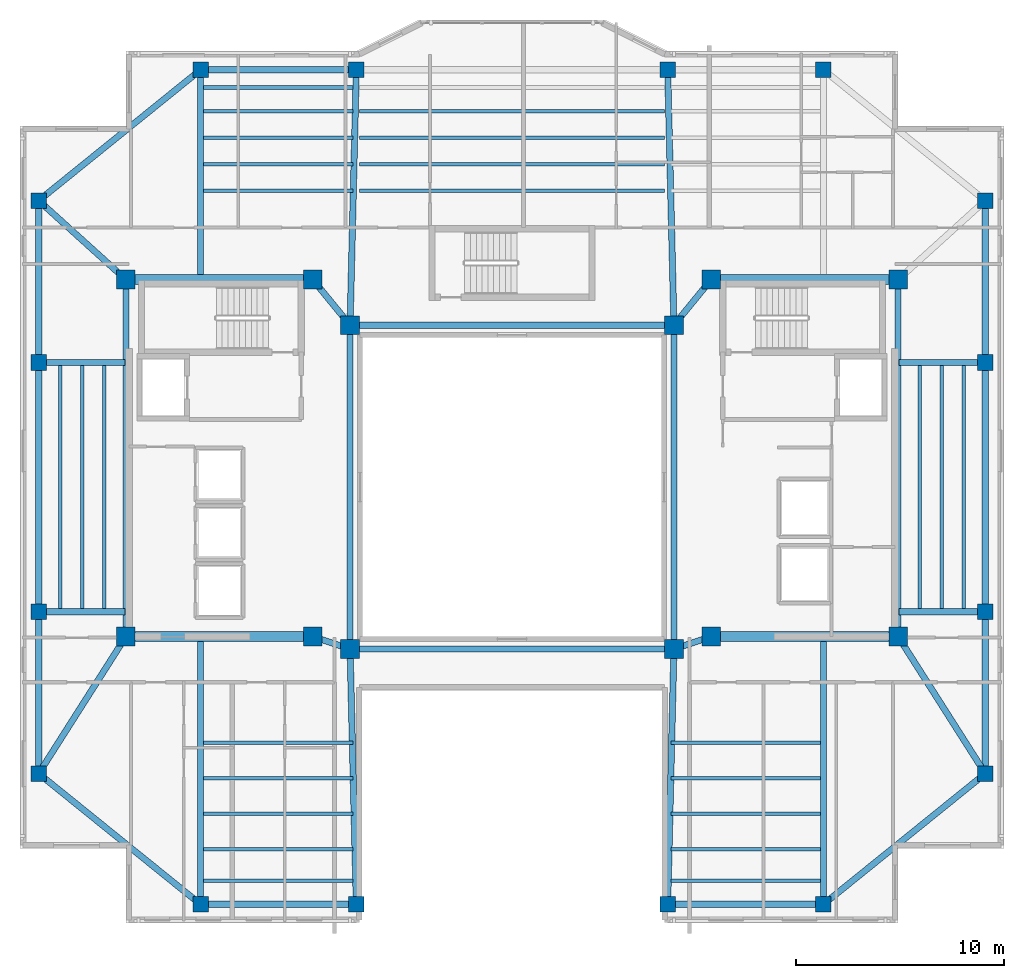
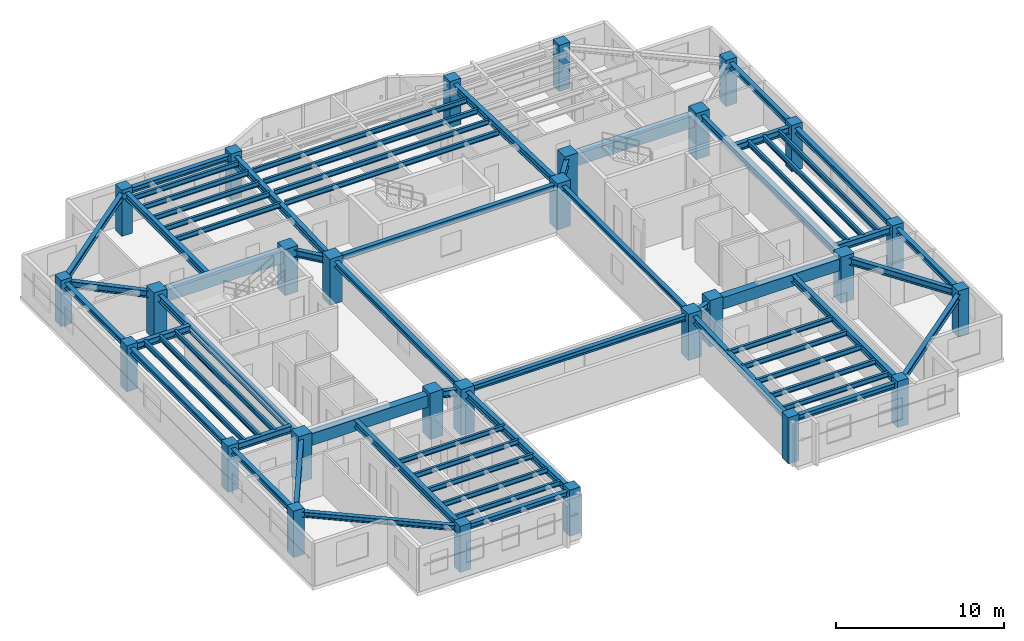
# One storey, part 1 of 11: 65 beams, 28 columns.
"""IFC4 building model written with IfcOpenShell, lengths in metres."""

from ifc_helpers import new_model, si_unit, direction, frame, origin, origin_2d, place, context, subcontext, project, spatial, rectangle, i_section, extrude, material, material_profile, profile_set, type_object, element, save


model = new_model("IFC4")

# Units and contexts
model_context = context("Model", 3, precision=1e-05, world=origin(), true_north=direction((0.0, 1.0)))
body_context = subcontext(model_context, "Body", "Model", "MODEL_VIEW")
ifc_project = project(units=[si_unit("LENGTHUNIT", "METRE"), si_unit("AREAUNIT", "SQUARE_METRE"), si_unit("VOLUMEUNIT", "CUBIC_METRE"), si_unit("PLANEANGLEUNIT", "RADIAN"), si_unit("MASSUNIT", "GRAM", prefix="KILO")], contexts=[model_context])

# Site, building, storey
site_placement = place(None, origin())
site = spatial("IfcSite", under=ifc_project, at=site_placement, CompositionType="ELEMENT")
building_placement = place(site_placement, origin())
building = spatial("IfcBuilding", under=site, at=building_placement, Name="Tarnavaz Court Tower", CompositionType="ELEMENT")
storey_placement = place(building_placement, frame((0.0, 0.0, 213.699951171875)))
storey = spatial("IfcBuildingStorey", under=building, at=storey_placement, Name="L58", CompositionType="ELEMENT", Elevation=213.699951171875)

# Columns
ifc_material_1 = material(Name="Concrete C50/60", Category="concrete")
ifc_material_profile_1 = material_profile(ifc_material_1, rectangle(XDim=0.75, YDim=0.75, at=origin_2d()), Name="RC 750X750")
ifc_profile_set_1 = profile_set([ifc_material_profile_1], Name="Concrete C50/60")
column_type_1 = type_object("IfcColumnType", Name="CL-RC750", PredefinedType="COLUMN", material=ifc_profile_set_1)
for number, where, z_axis, x_axis, name in (
    (1, (-15.0, 20.10009765625, 0.0), (0.0, 0.0, 1.0), (1.0, 0.0, 0.0), "L58 Column PN-1"),
    (2, (-7.5, 20.10009765625, 0.0), (0.0, 0.0, 1.0), (1.0, 0.0, 0.0), "L58 Column PN-2"),
    (3, (7.5, 20.10009765625, 0.0), (0.0, 0.0, 1.0), (1.0, 0.0, 0.0), "L58 Column PN-3"),
    (4, (15.0, 20.10009765625, 0.0), (0.0, 0.0, 1.0), (1.0, 0.0, 0.0), "L58 Column PN-4"),
    (5, (-15.0, -20.10009765625, 0.0), (0.0, 0.0, 1.0), (1.0, 0.0, 0.0), "L58 Column PS-1"),
    (6, (-7.5, -20.10009765625, 0.0), (0.0, 0.0, 1.0), (1.0, 0.0, 0.0), "L58 Column PS-2"),
    (7, (7.5, -20.10009765625, 0.0), (0.0, 0.0, 1.0), (1.0, 0.0, 0.0), "L58 Column PS-3"),
    (8, (15.0, -20.10009765625, 0.0), (0.0, 0.0, 1.0), (1.0, 0.0, 0.0), "L58 Column PS-4"),
    (9, (22.800048828125, -13.800048828125, 0.0), (0.0, 0.0, 1.0), (1.0, 0.0, 0.0), "L58 Column PE-1"),
    (10, (22.800048828125, -6.0, 0.0), (0.0, 0.0, 1.0), (1.0, 0.0, 0.0), "L58 Column PE-2"),
    (11, (22.800048828125, 6.0, 0.0), (0.0, 0.0, 1.0), (1.0, 0.0, 0.0), "L58 Column PE-3"),
    (12, (22.800048828125, 13.800048828125, 0.0), (0.0, 0.0, 1.0), (1.0, 0.0, 0.0), "L58 Column PE-4"),
    (13, (-22.800048828125, -13.800048828125, 0.0), (0.0, 0.0, 1.0), (1.0, 0.0, 0.0), "L58 Column PW-1"),
    (14, (-22.800048828125, -6.0, 0.0), (0.0, 0.0, 1.0), (1.0, 0.0, 0.0), "L58 Column PW-2"),
    (15, (-22.800048828125, 6.0, 0.0), (0.0, 0.0, 1.0), (1.0, 0.0, 0.0), "L58 Column PW-3"),
    (16, (-22.800048828125, 13.800048828125, 0.0), (0.0, 0.0, 1.0), (1.0, 0.0, 0.0), "L58 Column PW-4"),
):
    element("IfcColumn", number, at=place(storey_placement, frame(where, z_axis=z_axis, x_axis=x_axis)), inside=storey, type_object=column_type_1, Name=name, PredefinedType="COLUMN", context=body_context, shape_type="SweptSolid", body=[
        extrude(rectangle(XDim=0.75, YDim=0.75, at=origin_2d()), origin(), (0.0, 0.0, 1.0), 3.35009765625),
    ])
ifc_material_profile_2 = material_profile(ifc_material_1, rectangle(XDim=0.89990234375, YDim=0.89990234375, at=origin_2d()), Name="RC 900X900")
ifc_profile_set_2 = profile_set([ifc_material_profile_2], Name="Concrete C50/60")
column_type_2 = type_object("IfcColumnType", Name="CL-RC900", PredefinedType="COLUMN", material=ifc_profile_set_2)
for number, where, z_axis, x_axis, name in (
    (17, (-7.800048828125, -7.800048828125, 0.0), (0.0, 0.0, 1.0), (1.0, 0.0, 0.0), "L58 Column IW-SW"),
    (18, (7.800048828125, -7.800048828125, 0.0), (0.0, 0.0, 1.0), (1.0, 0.0, 0.0), "L58 Column IW-SE"),
    (19, (-7.800048828125, 7.800048828125, 0.0), (0.0, 0.0, 1.0), (1.0, 0.0, 0.0), "L58 Column IW-NW"),
    (20, (7.800048828125, 7.800048828125, 0.0), (0.0, 0.0, 1.0), (1.0, 0.0, 0.0), "L58 Column IW-NE"),
    (21, (-9.60009765625, -7.199951171875, 0.0), (0.0, 0.0, 1.0), (1.0, 0.0, 0.0), "L58 Column CW-SI"),
    (22, (-9.60009765625, 10.0, 0.0), (0.0, 0.0, 1.0), (1.0, 0.0, 0.0), "L58 Column CW-NI"),
    (23, (9.60009765625, -7.199951171875, 0.0), (0.0, 0.0, 1.0), (1.0, 0.0, 0.0), "L58 Column CE-SI"),
    (24, (9.60009765625, 10.0, 0.0), (0.0, 0.0, 1.0), (1.0, 0.0, 0.0), "L58 Column CE-NI"),
    (25, (-18.60009765625, -7.199951171875, 0.0), (0.0, 0.0, 1.0), (1.0, 0.0, 0.0), "L58 Column CW-SO"),
    (26, (-18.60009765625, 10.0, 0.0), (0.0, 0.0, 1.0), (1.0, 0.0, 0.0), "L58 Column CW-NO"),
    (27, (18.60009765625, -7.199951171875, 0.0), (0.0, 0.0, 1.0), (1.0, 0.0, 0.0), "L58 Column CE-SO"),
    (28, (18.60009765625, 10.0, 0.0), (0.0, 0.0, 1.0), (1.0, 0.0, 0.0), "L58 Column CE-NO"),
):
    element("IfcColumn", number, at=place(storey_placement, frame(where, z_axis=z_axis, x_axis=x_axis)), inside=storey, type_object=column_type_2, Name=name, PredefinedType="COLUMN", context=body_context, shape_type="SweptSolid", body=[
        extrude(rectangle(XDim=0.89990234375, YDim=0.89990234375, at=origin_2d()), origin(), (0.0, 0.0, 1.0), 3.35009765625),
    ])

# Beams
ifc_material_profile_3 = material_profile(ifc_material_1, rectangle(XDim=0.5, YDim=0.85009765625, at=origin_2d()), Name="RC 500X850")
ifc_profile_set_3 = profile_set([ifc_material_profile_3], Name="Concrete C50/60")
beam_type_1 = type_object("IfcBeamType", Name="BM-CB850", PredefinedType="LINTEL", material=ifc_profile_set_3)
for number, where, z_axis, x_axis, name in (
    (29, (-18.3798828125, -7.199951171875, 2.675048828125), (1.0, 0.0, 0.0), (0.0, 1.0, 0.0), "L58 Beam IN-CW-SO-CW-SI"),
    (30, (-18.3798828125, 10.0, 2.675048828125), (1.0, 0.0, 0.0), (0.0, 1.0, 0.0), "L58 Beam IN-CW-NO-CW-NI"),
    (31, (18.3798828125, -7.199951171875, 2.675048828125), (-1.0, 0.0, 0.0), (0.0, -1.0, 0.0), "L58 Beam IN-CE-SO-CE-SI"),
    (32, (18.3798828125, 10.0, 2.675048828125), (-1.0, 0.0, 0.0), (0.0, -1.0, 0.0), "L58 Beam IN-CE-NO-CE-NI"),
):
    element("IfcBeam", number, at=place(storey_placement, frame(where, z_axis=z_axis, x_axis=x_axis)), inside=storey, type_object=beam_type_1, Name=name, PredefinedType="LINTEL", context=body_context, shape_type="SweptSolid", body=[
        extrude(rectangle(XDim=0.5, YDim=0.85009765625, at=origin_2d()), origin(), (0.0, 0.0, 1.0), 8.559814453125),
    ])
ifc_material_2 = material(Name="Steel S355", Category="steel")
ifc_material_profile_4 = material_profile(ifc_material_2, i_section(OverallWidth=0.300048828125, OverallDepth=0.5, WebThickness=0.014404296875, FlangeThickness=0.028076171875, FilletRadius=0.027099609375, at=origin_2d()), Name="HEB 500")
ifc_profile_set_4 = profile_set([ifc_material_profile_4], Name="Steel S355")
beam_type_2 = type_object("IfcBeamType", Name="BM-G-HEB500", PredefinedType="USERDEFINED", material=ifc_profile_set_4)
for number, where, z_axis, x_axis, name in (
    (33, (-9.391357421875, -7.26953125, 2.85009765625), (0.948666544706, -0.316278021615, 0.0), (0.316278021615, 0.948666544706, 0.0), "L58 Beam IN-CW-SI-IW-SW"),
    (34, (9.391357421875, -7.26953125, 2.85009765625), (-0.948666544706, -0.316278021615, 0.0), (0.316278021615, -0.948666544706, 0.0), "L58 Beam IN-CE-SI-IW-SE"),
):
    element("IfcBeam", number, at=place(storey_placement, frame(where, z_axis=z_axis, x_axis=x_axis)), inside=storey, type_object=beam_type_2, Name=name, ObjectType="GIRDER", PredefinedType="USERDEFINED", context=body_context, shape_type="SweptSolid", body=[
        extrude(i_section(OverallWidth=0.300048828125, OverallDepth=0.5, WebThickness=0.014404296875, FlangeThickness=0.028076171875, FilletRadius=0.027099609375, at=origin_2d()), origin(), (0.0, 0.0, 1.0), 1.457275390625),
    ])
for number, where, z_axis, x_axis, name in (
    (35, (-9.460693359375, 9.82958984375, 2.85009765625), (0.633282058357, -0.773921077735, 0.0), (0.773921077735, 0.633282058357, 0.0), "L58 Beam IN-CW-NI-IW-NW"),
    (36, (9.460693359375, 9.82958984375, 2.85009765625), (-0.633282058357, -0.773921077735, 0.0), (0.773921077735, -0.633282058357, 0.0), "L58 Beam IN-CE-NI-IW-NE"),
):
    element("IfcBeam", number, at=place(storey_placement, frame(where, z_axis=z_axis, x_axis=x_axis)), inside=storey, type_object=beam_type_2, Name=name, ObjectType="GIRDER", PredefinedType="USERDEFINED", context=body_context, shape_type="SweptSolid", body=[
        extrude(i_section(OverallWidth=0.300048828125, OverallDepth=0.5, WebThickness=0.014404296875, FlangeThickness=0.028076171875, FilletRadius=0.027099609375, at=origin_2d()), origin(), (0.0, 0.0, 1.0), 2.402587890625),
    ])
for number, where, z_axis, x_axis, name in (
    (37, (-18.60009765625, -6.97998046875, 2.85009765625), (0.0, 1.0, 0.0), (-1.0, 0.0, 0.0), "L58 Beam IN-CW-SO-CW-NO"),
    (38, (18.60009765625, -6.97998046875, 2.85009765625), (0.0, 1.0, 0.0), (-1.0, 0.0, 0.0), "L58 Beam IN-CE-SO-CE-NO"),
):
    element("IfcBeam", number, at=place(storey_placement, frame(where, z_axis=z_axis, x_axis=x_axis)), inside=storey, type_object=beam_type_2, Name=name, ObjectType="GIRDER", PredefinedType="USERDEFINED", context=body_context, shape_type="SweptSolid", body=[
        extrude(i_section(OverallWidth=0.300048828125, OverallDepth=0.5, WebThickness=0.014404296875, FlangeThickness=0.028076171875, FilletRadius=0.027099609375, at=origin_2d()), origin(), (0.0, 0.0, 1.0), 16.760009765625),
    ])
beam_1_placement = place(storey_placement, frame((-15.0, 10.0400390625, 2.85009765625), z_axis=(0.0, 1.0, 0.0), x_axis=(-1.0, 0.0, 0.0)))
element("IfcBeam", 39, at=beam_1_placement, inside=storey, type_object=beam_type_2, Name="L58 Beam RG-01", ObjectType="GIRDER", PredefinedType="USERDEFINED", context=body_context, shape_type="SweptSolid", body=[
    extrude(i_section(OverallWidth=0.300048828125, OverallDepth=0.5, WebThickness=0.014404296875, FlangeThickness=0.028076171875, FilletRadius=0.027099609375, at=origin_2d()), origin(), (0.0, 0.0, 1.0), 9.83984375),
])
for number, where, z_axis, x_axis, name in (
    (40, (-7.794677734375, 8.02001953125, 2.85009765625), (0.024386002211, 0.99970261723, 0.0), (-0.99970261723, 0.024386002211, 0.0), "L58 Beam RG-02"),
    (41, (7.794677734375, 8.02001953125, 2.85009765625), (-0.024386002211, 0.99970261723, 0.0), (-0.99970261723, -0.024386002211, 0.0), "L58 Beam RG-03"),
):
    element("IfcBeam", number, at=place(storey_placement, frame(where, z_axis=z_axis, x_axis=x_axis)), inside=storey, type_object=beam_type_2, Name=name, ObjectType="GIRDER", PredefinedType="USERDEFINED", context=body_context, shape_type="SweptSolid", body=[
        extrude(i_section(OverallWidth=0.300048828125, OverallDepth=0.5, WebThickness=0.014404296875, FlangeThickness=0.028076171875, FilletRadius=0.027099609375, at=origin_2d()), origin(), (0.0, 0.0, 1.0), 11.863525390625),
    ])
beam_2_placement = place(storey_placement, frame((-15.0, -7.239990234375, 2.85009765625), z_axis=(0.0, -1.0, 0.0), x_axis=(1.0, 0.0, 0.0)))
element("IfcBeam", 42, at=beam_2_placement, inside=storey, type_object=beam_type_2, Name="L58 Beam RG-05", ObjectType="GIRDER", PredefinedType="USERDEFINED", context=body_context, shape_type="SweptSolid", body=[
    extrude(i_section(OverallWidth=0.300048828125, OverallDepth=0.5, WebThickness=0.014404296875, FlangeThickness=0.028076171875, FilletRadius=0.027099609375, at=origin_2d()), origin(), (0.0, 0.0, 1.0), 12.639892578125),
])
for number, where, z_axis, x_axis, name in (
    (43, (-7.794677734375, -8.02001953125, 2.85009765625), (0.024386002211, -0.99970261723, 0.0), (0.99970261723, 0.024386002211, 0.0), "L58 Beam RG-06"),
    (44, (7.794677734375, -8.02001953125, 2.85009765625), (-0.024386002211, -0.99970261723, 0.0), (0.99970261723, -0.024386002211, 0.0), "L58 Beam RG-07"),
):
    element("IfcBeam", number, at=place(storey_placement, frame(where, z_axis=z_axis, x_axis=x_axis)), inside=storey, type_object=beam_type_2, Name=name, ObjectType="GIRDER", PredefinedType="USERDEFINED", context=body_context, shape_type="SweptSolid", body=[
        extrude(i_section(OverallWidth=0.300048828125, OverallDepth=0.5, WebThickness=0.014404296875, FlangeThickness=0.028076171875, FilletRadius=0.027099609375, at=origin_2d()), origin(), (0.0, 0.0, 1.0), 11.863525390625),
    ])
beam_3_placement = place(storey_placement, frame((15.0, -7.239990234375, 2.85009765625), z_axis=(0.0, -1.0, 0.0), x_axis=(1.0, 0.0, 0.0)))
element("IfcBeam", 45, at=beam_3_placement, inside=storey, type_object=beam_type_2, Name="L58 Beam RG-08", ObjectType="GIRDER", PredefinedType="USERDEFINED", context=body_context, shape_type="SweptSolid", body=[
    extrude(i_section(OverallWidth=0.300048828125, OverallDepth=0.5, WebThickness=0.014404296875, FlangeThickness=0.028076171875, FilletRadius=0.027099609375, at=origin_2d()), origin(), (0.0, 0.0, 1.0), 12.639892578125),
])
for number, where, z_axis, x_axis, name in (
    (46, (18.639892578125, -6.0, 2.85009765625), (1.0, 0.0, 0.0), (0.0, 1.0, 0.0), "L58 Beam RG-09"),
    (47, (18.639892578125, 6.0, 2.85009765625), (1.0, 0.0, 0.0), (0.0, 1.0, 0.0), "L58 Beam RG-10"),
):
    element("IfcBeam", number, at=place(storey_placement, frame(where, z_axis=z_axis, x_axis=x_axis)), inside=storey, type_object=beam_type_2, Name=name, ObjectType="GIRDER", PredefinedType="USERDEFINED", context=body_context, shape_type="SweptSolid", body=[
        extrude(i_section(OverallWidth=0.300048828125, OverallDepth=0.5, WebThickness=0.014404296875, FlangeThickness=0.028076171875, FilletRadius=0.027099609375, at=origin_2d()), origin(), (0.0, 0.0, 1.0), 3.940185546875),
    ])
beam_4_placement = place(storey_placement, frame((18.718017578125, -7.385498046875, 2.85009765625), z_axis=(0.536871212964, -0.843664210863, 0.0), x_axis=(0.843664210863, 0.536871212964, 0.0)))
element("IfcBeam", 48, at=beam_4_placement, inside=storey, type_object=beam_type_2, Name="L58 Beam RG-11", ObjectType="GIRDER", PredefinedType="USERDEFINED", context=body_context, shape_type="SweptSolid", body=[
    extrude(i_section(OverallWidth=0.300048828125, OverallDepth=0.5, WebThickness=0.014404296875, FlangeThickness=0.028076171875, FilletRadius=0.027099609375, at=origin_2d()), origin(), (0.0, 0.0, 1.0), 7.38330078125),
])
for number, where, z_axis, x_axis, name in (
    (49, (-18.639892578125, -6.0, 2.85009765625), (-1.0, 0.0, 0.0), (0.0, -1.0, 0.0), "L58 Beam RG-13"),
    (50, (-18.639892578125, 6.0, 2.85009765625), (-1.0, 0.0, 0.0), (0.0, -1.0, 0.0), "L58 Beam RG-14"),
):
    element("IfcBeam", number, at=place(storey_placement, frame(where, z_axis=z_axis, x_axis=x_axis)), inside=storey, type_object=beam_type_2, Name=name, ObjectType="GIRDER", PredefinedType="USERDEFINED", context=body_context, shape_type="SweptSolid", body=[
        extrude(i_section(OverallWidth=0.300048828125, OverallDepth=0.5, WebThickness=0.014404296875, FlangeThickness=0.028076171875, FilletRadius=0.027099609375, at=origin_2d()), origin(), (0.0, 0.0, 1.0), 3.940185546875),
    ])
beam_5_placement = place(storey_placement, frame((-18.718017578125, -7.385498046875, 2.85009765625), z_axis=(-0.536871212964, -0.843664210863, 0.0), x_axis=(0.843664210863, -0.536871212964, 0.0)))
element("IfcBeam", 51, at=beam_5_placement, inside=storey, type_object=beam_type_2, Name="L58 Beam RG-15", ObjectType="GIRDER", PredefinedType="USERDEFINED", context=body_context, shape_type="SweptSolid", body=[
    extrude(i_section(OverallWidth=0.300048828125, OverallDepth=0.5, WebThickness=0.014404296875, FlangeThickness=0.028076171875, FilletRadius=0.027099609375, at=origin_2d()), origin(), (0.0, 0.0, 1.0), 7.38330078125),
])
beam_6_placement = place(storey_placement, frame((-18.76318359375, 10.147705078125, 2.85009765625), z_axis=(-0.741555708494, 0.670891296113, 0.0), x_axis=(-0.670891296113, -0.741555708494, 0.0)))
element("IfcBeam", 52, at=beam_6_placement, inside=storey, type_object=beam_type_2, Name="L58 Beam RG-16", ObjectType="GIRDER", PredefinedType="USERDEFINED", context=body_context, shape_type="SweptSolid", body=[
    extrude(i_section(OverallWidth=0.300048828125, OverallDepth=0.5, WebThickness=0.014404296875, FlangeThickness=0.028076171875, FilletRadius=0.027099609375, at=origin_2d()), origin(), (0.0, 0.0, 1.0), 5.223876953125),
])
ifc_material_profile_5 = material_profile(ifc_material_2, i_section(OverallWidth=0.169921875, OverallDepth=0.360107421875, WebThickness=0.008056640625, FlangeThickness=0.0126953125, FilletRadius=0.01806640625, at=origin_2d()), Name="IPE 360")
ifc_profile_set_5 = profile_set([ifc_material_profile_5], Name="Steel S355")
beam_type_3 = type_object("IfcBeamType", Name="BM-J-IPE360", PredefinedType="JOIST", material=ifc_profile_set_5)
beam_7_placement = place(storey_placement, frame((-14.85009765625, 14.278076171875, 2.920166015625), z_axis=(1.0, 0.0, 0.0), x_axis=(0.0, 1.0, 0.0)))
element("IfcBeam", 53, at=beam_7_placement, inside=storey, type_object=beam_type_3, Name="L58 Beam JN1-1", PredefinedType="JOIST", context=body_context, shape_type="SweptSolid", body=[
    extrude(i_section(OverallWidth=0.169921875, OverallDepth=0.360107421875, WebThickness=0.008056640625, FlangeThickness=0.0126953125, FilletRadius=0.01806640625, at=origin_2d()), origin(), (0.0, 0.0, 1.0), 7.2001953125),
])
beam_8_placement = place(storey_placement, frame((-7.35009765625, 14.278076171875, 2.920166015625), z_axis=(1.0, 0.0, 0.0), x_axis=(0.0, 1.0, 0.0)))
element("IfcBeam", 54, at=beam_8_placement, inside=storey, type_object=beam_type_3, Name="L58 Beam JN1-2", PredefinedType="JOIST", context=body_context, shape_type="SweptSolid", body=[
    extrude(i_section(OverallWidth=0.169921875, OverallDepth=0.360107421875, WebThickness=0.008056640625, FlangeThickness=0.0126953125, FilletRadius=0.01806640625, at=origin_2d()), origin(), (0.0, 0.0, 1.0), 14.7001953125),
])
for number, where, z_axis, x_axis, name in (
    (55, (-14.85009765625, -12.31005859375, 2.920166015625), (1.0, 0.0, 0.0), (0.0, 1.0, 0.0), "L58 Beam JS1-1"),
    (56, (7.64990234375, -12.31005859375, 2.920166015625), (1.0, 0.0, 0.0), (0.0, 1.0, 0.0), "L58 Beam JS1-2"),
    (57, (-14.85009765625, 15.555908203125, 2.920166015625), (1.0, 0.0, 0.0), (0.0, 1.0, 0.0), "L58 Beam JN2-1"),
):
    element("IfcBeam", number, at=place(storey_placement, frame(where, z_axis=z_axis, x_axis=x_axis)), inside=storey, type_object=beam_type_3, Name=name, PredefinedType="JOIST", context=body_context, shape_type="SweptSolid", body=[
        extrude(i_section(OverallWidth=0.169921875, OverallDepth=0.360107421875, WebThickness=0.008056640625, FlangeThickness=0.0126953125, FilletRadius=0.01806640625, at=origin_2d()), origin(), (0.0, 0.0, 1.0), 7.2001953125),
    ])
beam_9_placement = place(storey_placement, frame((-7.35009765625, 15.555908203125, 2.920166015625), z_axis=(1.0, 0.0, 0.0), x_axis=(0.0, 1.0, 0.0)))
element("IfcBeam", 58, at=beam_9_placement, inside=storey, type_object=beam_type_3, Name="L58 Beam JN2-2", PredefinedType="JOIST", context=body_context, shape_type="SweptSolid", body=[
    extrude(i_section(OverallWidth=0.169921875, OverallDepth=0.360107421875, WebThickness=0.008056640625, FlangeThickness=0.0126953125, FilletRadius=0.01806640625, at=origin_2d()), origin(), (0.0, 0.0, 1.0), 14.7001953125),
])
for number, where, z_axis, x_axis, name in (
    (59, (-14.85009765625, -14.02001953125, 2.920166015625), (1.0, 0.0, 0.0), (0.0, 1.0, 0.0), "L58 Beam JS2-1"),
    (60, (7.64990234375, -14.02001953125, 2.920166015625), (1.0, 0.0, 0.0), (0.0, 1.0, 0.0), "L58 Beam JS2-2"),
    (61, (-14.85009765625, 16.833984375, 2.920166015625), (1.0, 0.0, 0.0), (0.0, 1.0, 0.0), "L58 Beam JN3-1"),
):
    element("IfcBeam", number, at=place(storey_placement, frame(where, z_axis=z_axis, x_axis=x_axis)), inside=storey, type_object=beam_type_3, Name=name, PredefinedType="JOIST", context=body_context, shape_type="SweptSolid", body=[
        extrude(i_section(OverallWidth=0.169921875, OverallDepth=0.360107421875, WebThickness=0.008056640625, FlangeThickness=0.0126953125, FilletRadius=0.01806640625, at=origin_2d()), origin(), (0.0, 0.0, 1.0), 7.2001953125),
    ])
beam_10_placement = place(storey_placement, frame((-7.35009765625, 16.833984375, 2.920166015625), z_axis=(1.0, 0.0, 0.0), x_axis=(0.0, 1.0, 0.0)))
element("IfcBeam", 62, at=beam_10_placement, inside=storey, type_object=beam_type_3, Name="L58 Beam JN3-2", PredefinedType="JOIST", context=body_context, shape_type="SweptSolid", body=[
    extrude(i_section(OverallWidth=0.169921875, OverallDepth=0.360107421875, WebThickness=0.008056640625, FlangeThickness=0.0126953125, FilletRadius=0.01806640625, at=origin_2d()), origin(), (0.0, 0.0, 1.0), 14.7001953125),
])
for number, where, z_axis, x_axis, name in (
    (63, (-14.85009765625, -15.72998046875, 2.920166015625), (1.0, 0.0, 0.0), (0.0, 1.0, 0.0), "L58 Beam JS3-1"),
    (64, (7.64990234375, -15.72998046875, 2.920166015625), (1.0, 0.0, 0.0), (0.0, 1.0, 0.0), "L58 Beam JS3-2"),
    (65, (-14.85009765625, 18.112060546875, 2.920166015625), (1.0, 0.0, 0.0), (0.0, 1.0, 0.0), "L58 Beam JN4-1"),
):
    element("IfcBeam", number, at=place(storey_placement, frame(where, z_axis=z_axis, x_axis=x_axis)), inside=storey, type_object=beam_type_3, Name=name, PredefinedType="JOIST", context=body_context, shape_type="SweptSolid", body=[
        extrude(i_section(OverallWidth=0.169921875, OverallDepth=0.360107421875, WebThickness=0.008056640625, FlangeThickness=0.0126953125, FilletRadius=0.01806640625, at=origin_2d()), origin(), (0.0, 0.0, 1.0), 7.2001953125),
    ])
beam_11_placement = place(storey_placement, frame((-7.35009765625, 18.112060546875, 2.920166015625), z_axis=(1.0, 0.0, 0.0), x_axis=(0.0, 1.0, 0.0)))
element("IfcBeam", 66, at=beam_11_placement, inside=storey, type_object=beam_type_3, Name="L58 Beam JN4-2", PredefinedType="JOIST", context=body_context, shape_type="SweptSolid", body=[
    extrude(i_section(OverallWidth=0.169921875, OverallDepth=0.360107421875, WebThickness=0.008056640625, FlangeThickness=0.0126953125, FilletRadius=0.01806640625, at=origin_2d()), origin(), (0.0, 0.0, 1.0), 14.7001953125),
])
for number, where, z_axis, x_axis, name in (
    (67, (-14.85009765625, -17.43994140625, 2.920166015625), (1.0, 0.0, 0.0), (0.0, 1.0, 0.0), "L58 Beam JS4-1"),
    (68, (7.64990234375, -17.43994140625, 2.920166015625), (1.0, 0.0, 0.0), (0.0, 1.0, 0.0), "L58 Beam JS4-2"),
    (69, (-14.85009765625, 19.248046875, 2.920166015625), (1.0, 0.0, 0.0), (0.0, 1.0, 0.0), "L58 Beam JN5-1"),
    (70, (-14.85009765625, -18.9599609375, 2.920166015625), (1.0, 0.0, 0.0), (0.0, 1.0, 0.0), "L58 Beam JS5-1"),
    (71, (7.64990234375, -18.9599609375, 2.920166015625), (1.0, 0.0, 0.0), (0.0, 1.0, 0.0), "L58 Beam JS5-2"),
):
    element("IfcBeam", number, at=place(storey_placement, frame(where, z_axis=z_axis, x_axis=x_axis)), inside=storey, type_object=beam_type_3, Name=name, PredefinedType="JOIST", context=body_context, shape_type="SweptSolid", body=[
        extrude(i_section(OverallWidth=0.169921875, OverallDepth=0.360107421875, WebThickness=0.008056640625, FlangeThickness=0.0126953125, FilletRadius=0.01806640625, at=origin_2d()), origin(), (0.0, 0.0, 1.0), 7.2001953125),
    ])
for number, where, z_axis, x_axis, name in (
    (72, (19.64990234375, -5.9599609375, 2.920166015625), (0.0, 1.0, 0.0), (-1.0, 0.0, 0.0), "L58 Beam JE1"),
    (73, (-19.64990234375, -5.9599609375, 2.920166015625), (0.0, 1.0, 0.0), (-1.0, 0.0, 0.0), "L58 Beam JW1"),
    (74, (20.699951171875, -5.9599609375, 2.920166015625), (0.0, 1.0, 0.0), (-1.0, 0.0, 0.0), "L58 Beam JE2"),
    (75, (-20.699951171875, -5.9599609375, 2.920166015625), (0.0, 1.0, 0.0), (-1.0, 0.0, 0.0), "L58 Beam JW2"),
    (76, (21.75, -5.9599609375, 2.920166015625), (0.0, 1.0, 0.0), (-1.0, 0.0, 0.0), "L58 Beam JE3"),
    (77, (-21.75, -5.9599609375, 2.920166015625), (0.0, 1.0, 0.0), (-1.0, 0.0, 0.0), "L58 Beam JW3"),
):
    element("IfcBeam", number, at=place(storey_placement, frame(where, z_axis=z_axis, x_axis=x_axis)), inside=storey, type_object=beam_type_3, Name=name, PredefinedType="JOIST", context=body_context, shape_type="SweptSolid", body=[
        extrude(i_section(OverallWidth=0.169921875, OverallDepth=0.360107421875, WebThickness=0.008056640625, FlangeThickness=0.0126953125, FilletRadius=0.01806640625, at=origin_2d()), origin(), (0.0, 0.0, 1.0), 11.919921875),
    ])
ifc_material_profile_6 = material_profile(ifc_material_2, i_section(OverallWidth=0.300048828125, OverallDepth=0.389892578125, WebThickness=0.010986328125, FlangeThickness=0.01904296875, FilletRadius=0.027099609375, at=origin_2d()), Name="HEA 400")
ifc_profile_set_6 = profile_set([ifc_material_profile_6], Name="Steel S355")
beam_type_4 = type_object("IfcBeamType", Name="BM-SP-HEA400", PredefinedType="BEAM", material=ifc_profile_set_6)
for number, where, z_axis, x_axis, name in (
    (78, (-7.580078125, -7.800048828125, 2.905029296875), (1.0, 0.0, 0.0), (0.0, 1.0, 0.0), "L58 Beam IN-IW-SW-IW-SE"),
    (79, (-7.580078125, 7.800048828125, 2.905029296875), (1.0, 0.0, 0.0), (0.0, 1.0, 0.0), "L58 Beam IN-IW-NW-IW-NE"),
    (80, (-7.800048828125, -7.580078125, 2.905029296875), (0.0, 1.0, 0.0), (-1.0, 0.0, 0.0), "L58 Beam IN-IW-SW-IW-NW"),
    (81, (7.800048828125, -7.580078125, 2.905029296875), (0.0, 1.0, 0.0), (-1.0, 0.0, 0.0), "L58 Beam IN-IW-SE-IW-NE"),
):
    element("IfcBeam", number, at=place(storey_placement, frame(where, z_axis=z_axis, x_axis=x_axis)), inside=storey, type_object=beam_type_4, Name=name, PredefinedType="BEAM", context=body_context, shape_type="SweptSolid", body=[
        extrude(i_section(OverallWidth=0.300048828125, OverallDepth=0.389892578125, WebThickness=0.010986328125, FlangeThickness=0.01904296875, FilletRadius=0.027099609375, at=origin_2d()), origin(), (0.0, 0.0, 1.0), 15.16015625),
    ])
for number, where, z_axis, x_axis, name in (
    (82, (-14.780029296875, 20.10009765625, 2.905029296875), (1.0, 0.0, 0.0), (0.0, 1.0, 0.0), "L58 Beam PR-PN-1-PN-2"),
    (83, (-14.780029296875, -20.10009765625, 2.905029296875), (1.0, 0.0, 0.0), (0.0, 1.0, 0.0), "L58 Beam PR-PS-1-PS-2"),
    (84, (7.719970703125, -20.10009765625, 2.905029296875), (1.0, 0.0, 0.0), (0.0, 1.0, 0.0), "L58 Beam PR-PS-3-PS-4"),
):
    element("IfcBeam", number, at=place(storey_placement, frame(where, z_axis=z_axis, x_axis=x_axis)), inside=storey, type_object=beam_type_4, Name=name, PredefinedType="BEAM", context=body_context, shape_type="SweptSolid", body=[
        extrude(i_section(OverallWidth=0.300048828125, OverallDepth=0.389892578125, WebThickness=0.010986328125, FlangeThickness=0.01904296875, FilletRadius=0.027099609375, at=origin_2d()), origin(), (0.0, 0.0, 1.0), 7.06005859375),
    ])
beam_12_placement = place(storey_placement, frame((22.800048828125, -13.580078125, 2.905029296875), z_axis=(0.0, 1.0, 0.0), x_axis=(-1.0, 0.0, 0.0)))
element("IfcBeam", 85, at=beam_12_placement, inside=storey, type_object=beam_type_4, Name="L58 Beam PR-PE-1-PE-2", PredefinedType="BEAM", context=body_context, shape_type="SweptSolid", body=[
    extrude(i_section(OverallWidth=0.300048828125, OverallDepth=0.389892578125, WebThickness=0.010986328125, FlangeThickness=0.01904296875, FilletRadius=0.027099609375, at=origin_2d()), origin(), (0.0, 0.0, 1.0), 7.360107421875),
])
beam_13_placement = place(storey_placement, frame((22.800048828125, -5.780029296875, 2.905029296875), z_axis=(0.0, 1.0, 0.0), x_axis=(-1.0, 0.0, 0.0)))
element("IfcBeam", 86, at=beam_13_placement, inside=storey, type_object=beam_type_4, Name="L58 Beam PR-PE-2-PE-3", PredefinedType="BEAM", context=body_context, shape_type="SweptSolid", body=[
    extrude(i_section(OverallWidth=0.300048828125, OverallDepth=0.389892578125, WebThickness=0.010986328125, FlangeThickness=0.01904296875, FilletRadius=0.027099609375, at=origin_2d()), origin(), (0.0, 0.0, 1.0), 11.56005859375),
])
for number, where, z_axis, x_axis, name in (
    (87, (22.800048828125, 6.219970703125, 2.905029296875), (0.0, 1.0, 0.0), (-1.0, 0.0, 0.0), "L58 Beam PR-PE-3-PE-4"),
    (88, (-22.800048828125, -13.580078125, 2.905029296875), (0.0, 1.0, 0.0), (-1.0, 0.0, 0.0), "L58 Beam PR-PW-1-PW-2"),
):
    element("IfcBeam", number, at=place(storey_placement, frame(where, z_axis=z_axis, x_axis=x_axis)), inside=storey, type_object=beam_type_4, Name=name, PredefinedType="BEAM", context=body_context, shape_type="SweptSolid", body=[
        extrude(i_section(OverallWidth=0.300048828125, OverallDepth=0.389892578125, WebThickness=0.010986328125, FlangeThickness=0.01904296875, FilletRadius=0.027099609375, at=origin_2d()), origin(), (0.0, 0.0, 1.0), 7.360107421875),
    ])
beam_14_placement = place(storey_placement, frame((-22.800048828125, -5.780029296875, 2.905029296875), z_axis=(0.0, 1.0, 0.0), x_axis=(-1.0, 0.0, 0.0)))
element("IfcBeam", 89, at=beam_14_placement, inside=storey, type_object=beam_type_4, Name="L58 Beam PR-PW-2-PW-3", PredefinedType="BEAM", context=body_context, shape_type="SweptSolid", body=[
    extrude(i_section(OverallWidth=0.300048828125, OverallDepth=0.389892578125, WebThickness=0.010986328125, FlangeThickness=0.01904296875, FilletRadius=0.027099609375, at=origin_2d()), origin(), (0.0, 0.0, 1.0), 11.56005859375),
])
beam_15_placement = place(storey_placement, frame((-22.800048828125, 6.219970703125, 2.905029296875), z_axis=(0.0, 1.0, 0.0), x_axis=(-1.0, 0.0, 0.0)))
element("IfcBeam", 90, at=beam_15_placement, inside=storey, type_object=beam_type_4, Name="L58 Beam PR-PW-3-PW-4", PredefinedType="BEAM", context=body_context, shape_type="SweptSolid", body=[
    extrude(i_section(OverallWidth=0.300048828125, OverallDepth=0.389892578125, WebThickness=0.010986328125, FlangeThickness=0.01904296875, FilletRadius=0.027099609375, at=origin_2d()), origin(), (0.0, 0.0, 1.0), 7.360107421875),
])
for number, where, z_axis, x_axis, name in (
    (91, (22.62890625, -13.938232421875, 2.905029296875), (-0.777935913531, -0.628343627674, 0.0), (0.628343627674, -0.777935913531, 0.0), "L58 Beam PR-PE-1-PS-4"),
    (92, (-15.171142578125, -19.9619140625, 2.905029296875), (-0.777935913531, 0.628343627674, 0.0), (-0.628343627674, -0.777935913531, 0.0), "L58 Beam PR-PS-1-PW-1"),
    (93, (-22.62890625, 13.938232421875, 2.905029296875), (0.777935913531, 0.628343627674, 0.0), (-0.628343627674, 0.777935913531, 0.0), "L58 Beam PR-PW-4-PN-1"),
):
    element("IfcBeam", number, at=place(storey_placement, frame(where, z_axis=z_axis, x_axis=x_axis)), inside=storey, type_object=beam_type_4, Name=name, PredefinedType="BEAM", context=body_context, shape_type="SweptSolid", body=[
        extrude(i_section(OverallWidth=0.300048828125, OverallDepth=0.389892578125, WebThickness=0.010986328125, FlangeThickness=0.01904296875, FilletRadius=0.027099609375, at=origin_2d()), origin(), (0.0, 0.0, 1.0), 9.586669921875),
    ])

save(model, "model.ifc")
